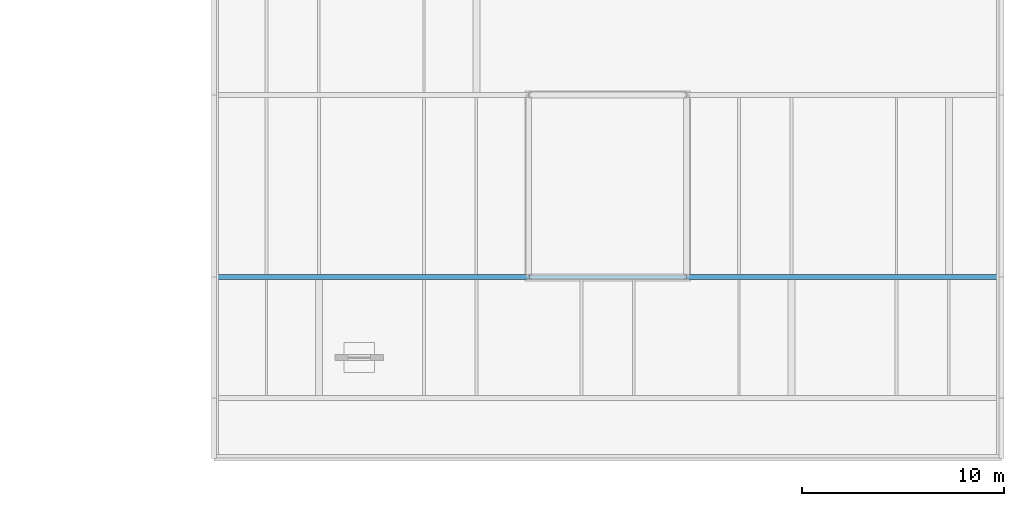
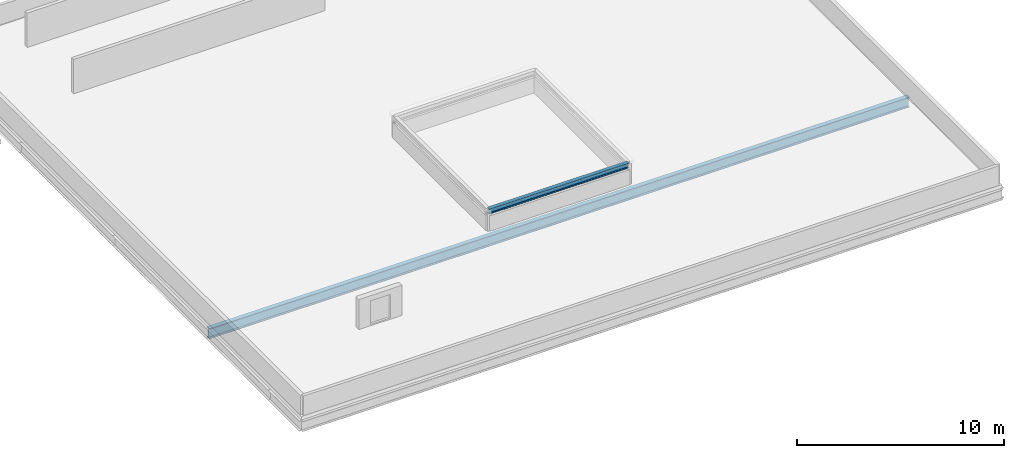
# One storey, part 3 of 9: 2 beams.
"""IFC4 building model written with IfcOpenShell, lengths in metres."""

from ifc_helpers import new_model, si_unit, derived_unit, direction, frame, origin, origin_2d, place, context, subcontext, project, spatial, i_section, extrude, material, material_profile, profile_set, type_object, element, save


model = new_model("IFC4")

# Units and contexts
model_context = context("Model", 3, precision=1e-05, world=origin(), true_north=direction((0.0, 1.0)))
body_context = subcontext(model_context, "Body", "Model", "MODEL_VIEW")
ifc_project = project(units=[si_unit("LENGTHUNIT", "METRE"), si_unit("AREAUNIT", "SQUARE_METRE"), si_unit("VOLUMEUNIT", "CUBIC_METRE"), si_unit("PLANEANGLEUNIT", "RADIAN"), si_unit("MASSUNIT", "GRAM", prefix="KILO"), derived_unit("THERMALTRANSMITTANCEUNIT", [(si_unit("POWERUNIT", "WATT"), 1), (si_unit("LENGTHUNIT", "METRE"), -2), (si_unit("THERMODYNAMICTEMPERATUREUNIT", "KELVIN"), -1)])], contexts=[model_context])

# Site, building, storey
site_placement = place(None, origin())
site = spatial("IfcSite", under=ifc_project, at=site_placement, CompositionType="ELEMENT")
building_placement = place(site_placement, origin())
building = spatial("IfcBuilding", under=site, at=building_placement, Name="Nallur Shell Playhouse", CompositionType="ELEMENT")
storey_placement = place(building_placement, frame((0.0, 0.0, 31.199951171875)))
storey = spatial("IfcBuildingStorey", under=building, at=storey_placement, Name="RF2", CompositionType="ELEMENT", Elevation=31.199951171875)

# Beams
ifc_material_1 = material(Name="Steel E250", Category="steel")
ifc_material_profile_1 = material_profile(ifc_material_1, i_section(OverallWidth=0.199951171875, OverallDepth=0.300048828125, WebThickness=0.00732421875, FlangeThickness=0.010009765625, FilletRadius=0.010986328125, at=origin_2d()), Name="ISWB 300")
ifc_profile_set_1 = profile_set([ifc_material_profile_1], Name="Steel E250")
beam_type_1 = type_object("IfcBeamType", Name="BM-ST-ISWB300", PredefinedType="BEAM", material=ifc_profile_set_1)
beam_1_placement = place(storey_placement, frame((79.60009765625, 56.0, 1.199951171875), z_axis=(1.0, 0.0, 0.0), x_axis=(0.0, 1.0, 0.0)))
element("IfcBeam", 1, at=beam_1_placement, inside=storey, type_object=beam_type_1, Name="Smoke lantern ring beam 1", PredefinedType="BEAM", context=body_context, shape_type="SweptSolid", body=[
    extrude(i_section(OverallWidth=0.199951171875, OverallDepth=0.300048828125, WebThickness=0.00732421875, FlangeThickness=0.010009765625, FilletRadius=0.010986328125, at=origin_2d()), origin(), (0.0, 0.0, 1.0), 7.7998046875),
])
ifc_material_2 = material(Name="Steel E350", Category="steel")
ifc_material_profile_2 = material_profile(ifc_material_2, i_section(OverallWidth=0.25, OverallDepth=0.60009765625, WebThickness=0.01171875, FlangeThickness=0.023681640625, FilletRadius=0.01708984375, at=origin_2d()), Name="ISWB 600")
ifc_profile_set_2 = profile_set([ifc_material_profile_2], Name="Steel E350")
beam_type_2 = type_object("IfcBeamType", Name="BM-ST-ISWB600", PredefinedType="BEAM", material=ifc_profile_set_2)
beam_2_placement = place(storey_placement, frame((64.0, 56.0, -0.52001953125), z_axis=(1.0, 0.0, 0.0), x_axis=(0.0, 1.0, 0.0)))
element("IfcBeam", 2, at=beam_2_placement, inside=storey, type_object=beam_type_2, Name="RF2 long-span hall girder Y=56.0-1275", PredefinedType="BEAM", context=body_context, shape_type="SweptSolid", body=[
    extrude(i_section(OverallWidth=0.25, OverallDepth=0.60009765625, WebThickness=0.01171875, FlangeThickness=0.023681640625, FilletRadius=0.01708984375, at=origin_2d()), origin(), (0.0, 0.0, 1.0), 39.0),
])

save(model, "model.ifc")
